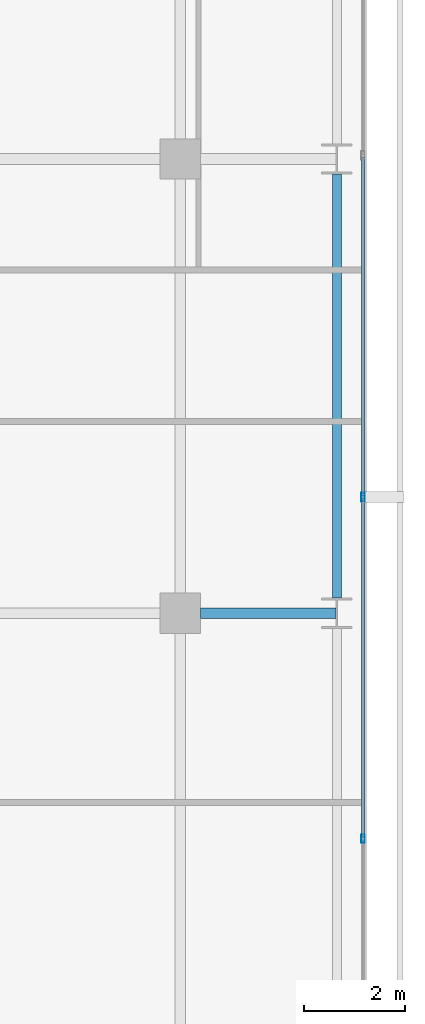
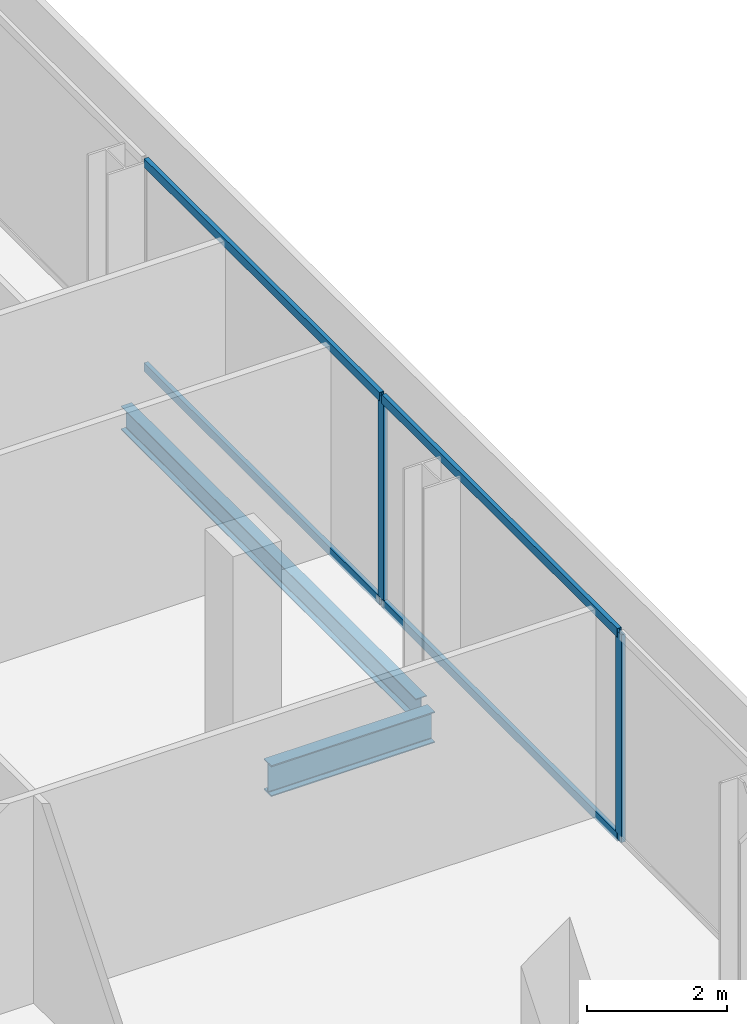
# One storey, part 17 of 33: 6 members, 2 beams, 1 element without a shape of its own.
"""IFC4 building model written with IfcOpenShell, lengths in metres."""

from ifc_helpers import new_model, si_unit, direction, frame, origin, origin_2d, place, context, subcontext, project, spatial, hollow_rectangle, i_section, extrude, material, layer, layer_set, material_profile, profile_set, type_object, element, aggregate, save


model = new_model("IFC4")

# Units and contexts
model_context = context("Model", 3, precision=1e-05, world=origin(), true_north=direction((0.0, 1.0)))
body_context = subcontext(model_context, "Body", "Model", "MODEL_VIEW")
ifc_project = project(units=[si_unit("LENGTHUNIT", "METRE"), si_unit("AREAUNIT", "SQUARE_METRE"), si_unit("VOLUMEUNIT", "CUBIC_METRE"), si_unit("PLANEANGLEUNIT", "RADIAN"), si_unit("MASSUNIT", "GRAM", prefix="KILO")], contexts=[model_context])

# Site, building, storey
site_placement = place(None, origin())
site = spatial("IfcSite", under=ifc_project, at=site_placement, CompositionType="ELEMENT")
building_placement = place(site_placement, origin())
building = spatial("IfcBuilding", under=site, at=building_placement, Name="Maruvema Waterfront Hotel and Observation Tower", CompositionType="ELEMENT")
storey_placement = place(building_placement, frame((0.0, 0.0, 200.550048828125)))
storey = spatial("IfcBuildingStorey", under=building, at=storey_placement, Name="L49", CompositionType="ELEMENT", Elevation=200.550048828125)

# Curtain wall, members
ifc_material_1 = material(Name="Anodised bronze aluminium and solar-control low-E IGU", Category="aluminium")
ifc_layer = layer(ifc_material_1, 0.159912109375, Name="Zone 2 Amber Inner Thermal Curtain Wall System CW-03")
ifc_layer_set = layer_set([ifc_layer], Name="Anodised bronze aluminium and solar-control low-E IGU")
curtain_wall_type = type_object("IfcCurtainWallType", Name="Zone 2 Amber Inner Thermal Curtain Wall System CW-03", PredefinedType="USERDEFINED", material=ifc_layer_set)
curtain_wall_placement = place(storey_placement, origin())
curtain_wall = element("IfcCurtainWall", 1, at=curtain_wall_placement, inside=storey, type_object=curtain_wall_type, Name="L49 Curtain Wall CW-L49-E", ObjectType="UNITISED CURTAIN WALL", PredefinedType="USERDEFINED")
ifc_material_2 = material(Name="Anodised architectural bronze aluminium", Category="aluminium")
ifc_material_profile_1 = material_profile(ifc_material_2, hollow_rectangle(XDim=0.070068359375, YDim=0.14990234375, WallThickness=0.00390625, at=origin_2d()), Name="ALU-T70x150")
ifc_profile_set_1 = profile_set([ifc_material_profile_1], Name="Anodised architectural bronze aluminium")
member_type_1 = type_object("IfcMemberType", Name="Curtain Wall Horizontal Transom ALU-T70x150", PredefinedType="USERDEFINED", material=ifc_profile_set_1)
member_1_placement = place(storey_placement, frame((62.419921875, 22.563232421875, 0.030029296875), z_axis=(0.0, 1.0, 0.0), x_axis=(-1.0, 0.0, 0.0)))
member_1 = element("IfcMember", 2, at=member_1_placement, type_object=member_type_1, Name="CW-03 transom 3.1", ObjectType="TRANSOM", PredefinedType="USERDEFINED", context=body_context, shape_type="SweptSolid", body=[
    extrude(hollow_rectangle(XDim=0.070068359375, YDim=0.14990234375, WallThickness=0.00390625, at=origin_2d()), origin(), (0.0, 0.0, 1.0), 6.706787109375),
])
member_2_placement = place(storey_placement, frame((62.419921875, 22.563232421875, 3.579833984375), z_axis=(0.0, 1.0, 0.0), x_axis=(-1.0, 0.0, 0.0)))
member_2 = element("IfcMember", 3, at=member_2_placement, type_object=member_type_1, Name="CW-03 transom 3.2", ObjectType="TRANSOM", PredefinedType="USERDEFINED", context=body_context, shape_type="SweptSolid", body=[
    extrude(hollow_rectangle(XDim=0.070068359375, YDim=0.14990234375, WallThickness=0.00390625, at=origin_2d()), origin(), (0.0, 0.0, 1.0), 6.706787109375),
])
member_3_placement = place(storey_placement, frame((62.419921875, 29.330078125, 0.030029296875), z_axis=(0.0, 1.0, 0.0), x_axis=(-1.0, 0.0, 0.0)))
member_3 = element("IfcMember", 4, at=member_3_placement, type_object=member_type_1, Name="CW-03 transom 4.1", ObjectType="TRANSOM", PredefinedType="USERDEFINED", context=body_context, shape_type="SweptSolid", body=[
    extrude(hollow_rectangle(XDim=0.070068359375, YDim=0.14990234375, WallThickness=0.00390625, at=origin_2d()), origin(), (0.0, 0.0, 1.0), 6.70654296875),
])
member_4_placement = place(storey_placement, frame((62.419921875, 29.330078125, 3.579833984375), z_axis=(0.0, 1.0, 0.0), x_axis=(-1.0, 0.0, 0.0)))
member_4 = element("IfcMember", 5, at=member_4_placement, type_object=member_type_1, Name="CW-03 transom 4.2", ObjectType="TRANSOM", PredefinedType="USERDEFINED", context=body_context, shape_type="SweptSolid", body=[
    extrude(hollow_rectangle(XDim=0.070068359375, YDim=0.14990234375, WallThickness=0.00390625, at=origin_2d()), origin(), (0.0, 0.0, 1.0), 6.70654296875),
])
ifc_material_3 = material(Name="Anodised architectural bronze aluminium", Category="aluminium")
ifc_material_profile_2 = material_profile(ifc_material_3, hollow_rectangle(XDim=0.06494140625, YDim=0.1650390625, WallThickness=0.00390625, at=origin_2d()), Name="ALU-M65x165")
ifc_profile_set_2 = profile_set([ifc_material_profile_2], Name="Anodised architectural bronze aluminium")
member_type_2 = type_object("IfcMemberType", Name="Curtain Wall Primary Mullion ALU-M65x165", PredefinedType="MULLION", material=ifc_profile_set_2)
member_5_placement = place(storey_placement, frame((62.419921875, 22.533447265625, 0.0), z_axis=(0.0, 0.0, 1.0), x_axis=(-1.0, 0.0, 0.0)))
member_5 = element("IfcMember", 6, at=member_5_placement, type_object=member_type_2, Name="CW-03 mullion 3", PredefinedType="MULLION", context=body_context, shape_type="SweptSolid", body=[
    extrude(hollow_rectangle(XDim=0.06494140625, YDim=0.1650390625, WallThickness=0.00390625, at=origin_2d()), origin(), (0.0, 0.0, 1.0), 3.60986328125),
])
member_6_placement = place(storey_placement, frame((62.419921875, 29.300048828125, 0.0), z_axis=(0.0, 0.0, 1.0), x_axis=(-1.0, 0.0, 0.0)))
member_6 = element("IfcMember", 7, at=member_6_placement, type_object=member_type_2, Name="CW-03 mullion 4", PredefinedType="MULLION", context=body_context, shape_type="SweptSolid", body=[
    extrude(hollow_rectangle(XDim=0.06494140625, YDim=0.1650390625, WallThickness=0.00390625, at=origin_2d()), origin(), (0.0, 0.0, 1.0), 3.60986328125),
])
aggregate(curtain_wall, [member_5, member_6, member_1, member_2, member_3, member_4])

# Beams
ifc_material_4 = material(Name="Steel ASTM A572 Grade 50", Category="steel")
ifc_material_profile_3 = material_profile(ifc_material_4, i_section(OverallWidth=0.178955078125, OverallDepth=0.409912109375, WebThickness=0.0087890625, FlangeThickness=0.014404296875, FilletRadius=0.014892578125, at=origin_2d()), Name="W410x67.0")
ifc_profile_set_3 = profile_set([ifc_material_profile_3], Name="Steel ASTM A572 Grade 50")
beam_type_1 = type_object("IfcBeamType", Name="Perimeter Spandrel Beam W410x67.0", PredefinedType="SPANDREL", material=ifc_profile_set_3)
beam_1_placement = place(storey_placement, frame((61.89990234375, 27.300048828125, -0.445068359375), z_axis=(0.0, 1.0, 0.0), x_axis=(-1.0, 0.0, 0.0)))
element("IfcBeam", 8, at=beam_1_placement, inside=storey, type_object=beam_type_1, Name="L49 Floor Girder NS-31", PredefinedType="SPANDREL", context=body_context, shape_type="SweptSolid", body=[
    extrude(i_section(OverallWidth=0.178955078125, OverallDepth=0.409912109375, WebThickness=0.0087890625, FlangeThickness=0.014404296875, FilletRadius=0.014892578125, at=origin_2d()), origin(), (0.0, 0.0, 1.0), 8.39990234375),
])
ifc_material_5 = material(Name="Steel ASTM A572 Grade 50", Category="steel")
ifc_material_profile_4 = material_profile(ifc_material_5, i_section(OverallWidth=0.2109375, OverallDepth=0.5390625, WebThickness=0.01171875, FlangeThickness=0.018798828125, FilletRadius=0.014892578125, at=origin_2d()), Name="W530x109.0")
ifc_profile_set_4 = profile_set([ifc_material_profile_4], Name="Steel ASTM A572 Grade 50")
beam_type_2 = type_object("IfcBeamType", Name="Primary Floor Girder W530x109.0", PredefinedType="BEAM", material=ifc_profile_set_4)
beam_2_placement = place(storey_placement, frame((59.199951171875, 27.0, -0.509521484375), z_axis=(1.0, 0.0, 0.0), x_axis=(0.0, 1.0, 0.0)))
element("IfcBeam", 9, at=beam_2_placement, inside=storey, type_object=beam_type_2, Name="L49 Floor Girder EW-22", PredefinedType="BEAM", context=body_context, shape_type="SweptSolid", body=[
    extrude(i_section(OverallWidth=0.2109375, OverallDepth=0.5390625, WebThickness=0.01171875, FlangeThickness=0.018798828125, FilletRadius=0.014892578125, at=origin_2d()), origin(), (0.0, 0.0, 1.0), 2.6875),
])

save(model, "model.ifc")
